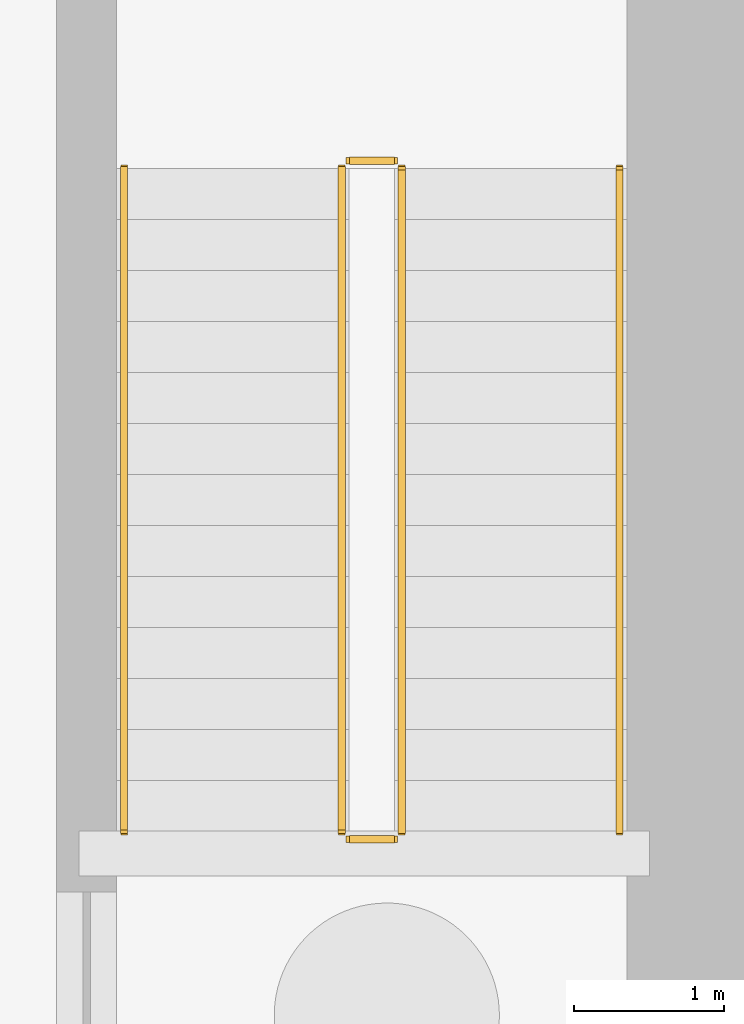
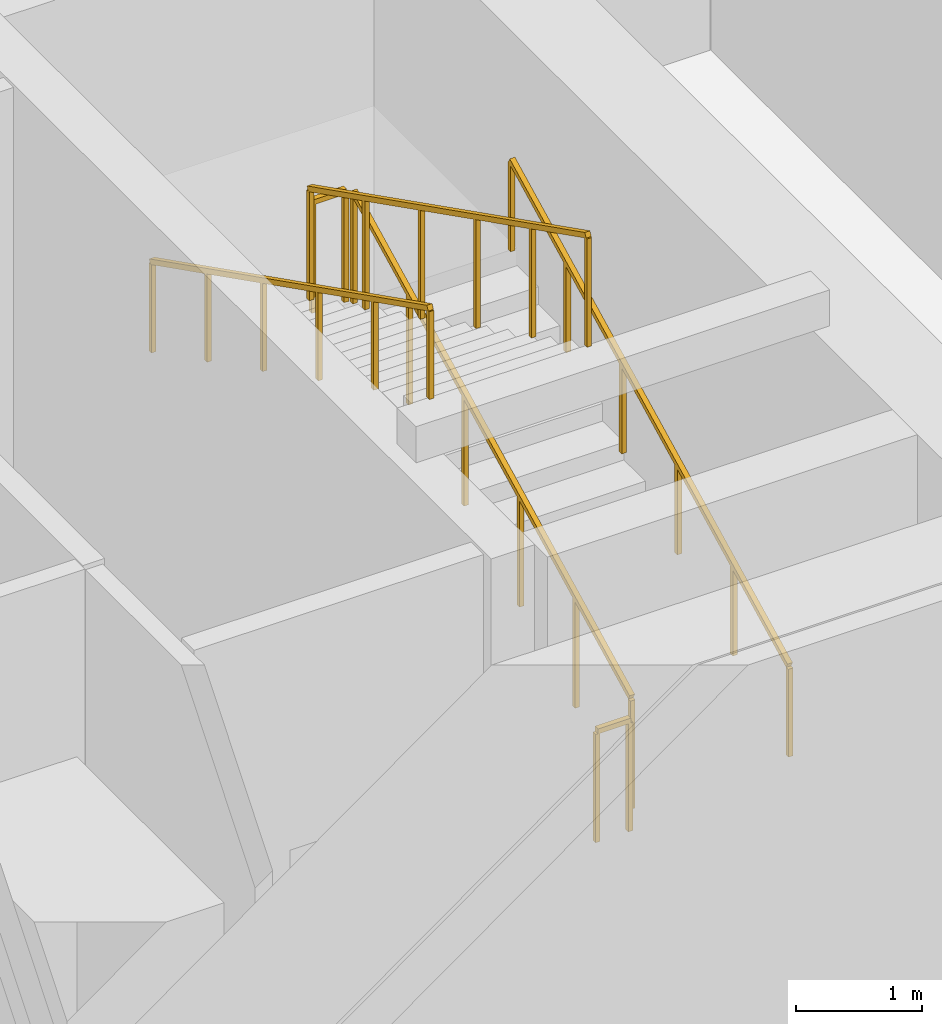
# One storey, part 9 of 10: 6 railings.
"""IFC4 building model written with IfcOpenShell, lengths in metres."""

from ifc_helpers import new_model, si_unit, direction, frame, origin, origin_2d, place, context, subcontext, project, spatial, rectangle, extrude, material, layer, layer_set, type_object, element, save


model = new_model("IFC4")

# Units and contexts
model_context = context("Model", 3, precision=1e-05, world=origin(), true_north=direction((0.0, 1.0)))
body_context = subcontext(model_context, "Body", "Model", "MODEL_VIEW")
ifc_project = project(units=[si_unit("LENGTHUNIT", "METRE"), si_unit("AREAUNIT", "SQUARE_METRE"), si_unit("VOLUMEUNIT", "CUBIC_METRE"), si_unit("PLANEANGLEUNIT", "RADIAN"), si_unit("MASSUNIT", "GRAM", prefix="KILO")], contexts=[model_context])

# Site, building, storey
site_placement = place(None, origin())
site = spatial("IfcSite", under=ifc_project, at=site_placement, CompositionType="ELEMENT")
building_placement = place(site_placement, origin())
building = spatial("IfcBuilding", under=site, at=building_placement, Name="Tavrogorsk Clinical Tower", CompositionType="ELEMENT")
storey_placement = place(building_placement, frame((0.0, 0.0, -10.199951171875)))
storey = spatial("IfcBuildingStorey", under=building, at=storey_placement, Name="B2", CompositionType="ELEMENT", Elevation=-10.199951171875)

# Railings
ifc_material_1 = material(Name="Galvanised steel S355 safety stairwell guard", Category="steel")
ifc_layer_1 = layer(ifc_material_1, 0.06005859375)
ifc_layer_set_1 = layer_set([ifc_layer_1], Name="Galvanised steel S355 safety stairwell guard")
railing_type_1 = type_object("IfcRailingType", Name="StairGuard_1150", PredefinedType="GUARDRAIL", material=ifc_layer_set_1)
railing_1_placement = place(storey_placement, frame((19.699951171875, -2.574951171875, 0.17138671875)))
element("IfcRailing", 1, at=railing_1_placement, inside=storey, type_object=railing_type_1, Name="B2 ST-E stair guard 1", PredefinedType="GUARDRAIL", context=body_context, shape_type="SweptSolid", body=[
    extrude(rectangle(XDim=0.048095703125, YDim=0.048095703125, at=origin_2d()), frame((0.0, 0.0, 1.076171875), z_axis=(0.0, 0.89292277971, 0.450209850486), x_axis=(-1.0, 0.0, 0.0)), (0.0, 0.0, 1.0), 4.949951171875),
    extrude(rectangle(XDim=0.0419921875, YDim=0.0419921875, at=origin_2d()), origin(), (0.0, 0.0, 1.0), 1.052001953125),
    extrude(rectangle(XDim=0.0419921875, YDim=0.0419921875, at=origin_2d()), frame((0.0, 0.884033203125, 0.44580078125)), (0.0, 0.0, 1.0), 1.052001953125),
    extrude(rectangle(XDim=0.0419921875, YDim=0.0419921875, at=origin_2d()), frame((0.0, 1.76806640625, 0.891357421875)), (0.0, 0.0, 1.0), 1.052001953125),
    extrude(rectangle(XDim=0.0419921875, YDim=0.0419921875, at=origin_2d()), frame((0.0, 2.65185546875, 1.337158203125)), (0.0, 0.0, 1.0), 1.052001953125),
    extrude(rectangle(XDim=0.0419921875, YDim=0.0419921875, at=origin_2d()), frame((0.0, 3.535888671875, 1.78271484375)), (0.0, 0.0, 1.0), 1.052001953125),
    extrude(rectangle(XDim=0.0419921875, YDim=0.0419921875, at=origin_2d()), frame((0.0, 4.419921875, 2.228515625)), (0.0, 0.0, 1.0), 1.052001953125),
])
railing_2_placement = place(storey_placement, frame((19.64990234375, 1.89501953125, 2.39990234375)))
element("IfcRailing", 2, at=railing_2_placement, inside=storey, type_object=railing_type_1, Name="B2 ST-E stair guard 2", PredefinedType="GUARDRAIL", context=body_context, shape_type="SweptSolid", body=[
    extrude(rectangle(XDim=0.048095703125, YDim=0.048095703125, at=origin_2d()), frame((0.0, 0.0, 1.076171875), z_axis=(-1.0, 0.0, 0.0), x_axis=(0.0, -1.0, 0.0)), (0.0, 0.0, 1.0), 0.2998046875),
    extrude(rectangle(XDim=0.0419921875, YDim=0.0419921875, at=origin_2d()), origin(), (0.0, 0.0, 1.0), 1.052001953125),
    extrude(rectangle(XDim=0.0419921875, YDim=0.0419921875, at=origin_2d()), frame((-0.2998046875, 0.0, 0.0)), (0.0, 0.0, 1.0), 1.052001953125),
])
railing_3_placement = place(storey_placement, frame((19.300048828125, 1.844970703125, 2.5712890625)))
element("IfcRailing", 3, at=railing_3_placement, inside=storey, type_object=railing_type_1, Name="B2 ST-E stair guard 3", PredefinedType="GUARDRAIL", context=body_context, shape_type="SweptSolid", body=[
    extrude(rectangle(XDim=0.048095703125, YDim=0.048095703125, at=origin_2d()), frame((0.0, 0.0, 1.076171875), z_axis=(0.0, -0.892902951771, 0.450249174034), x_axis=(1.0, 0.0, 0.0)), (0.0, 0.0, 1.0), 4.949951171875),
    extrude(rectangle(XDim=0.0419921875, YDim=0.0419921875, at=origin_2d()), origin(), (0.0, 0.0, 1.0), 1.052001953125),
    extrude(rectangle(XDim=0.0419921875, YDim=0.0419921875, at=origin_2d()), frame((0.0, -0.884033203125, 0.44580078125)), (0.0, 0.0, 1.0), 1.052001953125),
    extrude(rectangle(XDim=0.0419921875, YDim=0.0419921875, at=origin_2d()), frame((0.0, -1.76806640625, 0.8916015625)), (0.0, 0.0, 1.0), 1.052001953125),
    extrude(rectangle(XDim=0.0419921875, YDim=0.0419921875, at=origin_2d()), frame((0.0, -2.65185546875, 1.337158203125)), (0.0, 0.0, 1.0), 1.052001953125),
    extrude(rectangle(XDim=0.0419921875, YDim=0.0419921875, at=origin_2d()), frame((0.0, -3.535888671875, 1.782958984375)), (0.0, 0.0, 1.0), 1.052001953125),
    extrude(rectangle(XDim=0.0419921875, YDim=0.0419921875, at=origin_2d()), frame((0.0, -4.419921875, 2.228759765625)), (0.0, 0.0, 1.0), 1.052001953125),
])
railing_4_placement = place(storey_placement, frame((19.64990234375, -2.625, 0.0)))
element("IfcRailing", 4, at=railing_4_placement, inside=storey, type_object=railing_type_1, Name="B2 ST-E stair guard 4", PredefinedType="GUARDRAIL", context=body_context, shape_type="SweptSolid", body=[
    extrude(rectangle(XDim=0.048095703125, YDim=0.048095703125, at=origin_2d()), frame((0.0, 0.0, 1.076171875), z_axis=(-1.0, 0.0, 0.0), x_axis=(0.0, -1.0, 0.0)), (0.0, 0.0, 1.0), 0.2998046875),
    extrude(rectangle(XDim=0.0419921875, YDim=0.0419921875, at=origin_2d()), origin(), (0.0, 0.0, 1.0), 1.052001953125),
    extrude(rectangle(XDim=0.0419921875, YDim=0.0419921875, at=origin_2d()), frame((-0.2998046875, 0.0, 0.0)), (0.0, 0.0, 1.0), 1.052001953125),
])
ifc_material_2 = material(Name="Stainless steel AISI 304 tubular handrail", Category="steel")
ifc_layer_2 = layer(ifc_material_2, 0.050048828125)
ifc_layer_set_2 = layer_set([ifc_layer_2], Name="Stainless steel AISI 304 tubular handrail")
railing_type_2 = type_object("IfcRailingType", Name="StairHandrail_920", PredefinedType="HANDRAIL", material=ifc_layer_set_2)
railing_5_placement = place(storey_placement, frame((21.14990234375, -2.574951171875, 0.17138671875)))
element("IfcRailing", 5, at=railing_5_placement, inside=storey, type_object=railing_type_2, Name="B2 ST-E stair handrail 1", PredefinedType="HANDRAIL", context=body_context, shape_type="SweptSolid", body=[
    extrude(rectangle(XDim=0.048095703125, YDim=0.048095703125, at=origin_2d()), frame((0.0, 0.0, 0.8759765625), z_axis=(0.0, 0.89292277971, 0.450209850486), x_axis=(-1.0, 0.0, 0.0)), (0.0, 0.0, 1.0), 4.949951171875),
    extrude(rectangle(XDim=0.0419921875, YDim=0.0419921875, at=origin_2d()), origin(), (0.0, 0.0, 1.0), 0.851806640625),
    extrude(rectangle(XDim=0.0419921875, YDim=0.0419921875, at=origin_2d()), frame((0.0, 0.884033203125, 0.44580078125)), (0.0, 0.0, 1.0), 0.851806640625),
    extrude(rectangle(XDim=0.0419921875, YDim=0.0419921875, at=origin_2d()), frame((0.0, 1.76806640625, 0.891357421875)), (0.0, 0.0, 1.0), 0.851806640625),
    extrude(rectangle(XDim=0.0419921875, YDim=0.0419921875, at=origin_2d()), frame((0.0, 2.65185546875, 1.337158203125)), (0.0, 0.0, 1.0), 0.851806640625),
    extrude(rectangle(XDim=0.0419921875, YDim=0.0419921875, at=origin_2d()), frame((0.0, 3.535888671875, 1.78271484375)), (0.0, 0.0, 1.0), 0.851806640625),
    extrude(rectangle(XDim=0.0419921875, YDim=0.0419921875, at=origin_2d()), frame((0.0, 4.419921875, 2.228515625)), (0.0, 0.0, 1.0), 0.851806640625),
])
railing_6_placement = place(storey_placement, frame((17.85009765625, 1.844970703125, 2.5712890625)))
element("IfcRailing", 6, at=railing_6_placement, inside=storey, type_object=railing_type_2, Name="B2 ST-E stair handrail 2", PredefinedType="HANDRAIL", context=body_context, shape_type="SweptSolid", body=[
    extrude(rectangle(XDim=0.048095703125, YDim=0.048095703125, at=origin_2d()), frame((0.0, 0.0, 0.8759765625), z_axis=(0.0, -0.892902951771, 0.450249174034), x_axis=(1.0, 0.0, 0.0)), (0.0, 0.0, 1.0), 4.949951171875),
    extrude(rectangle(XDim=0.0419921875, YDim=0.0419921875, at=origin_2d()), origin(), (0.0, 0.0, 1.0), 0.851806640625),
    extrude(rectangle(XDim=0.0419921875, YDim=0.0419921875, at=origin_2d()), frame((0.0, -0.884033203125, 0.44580078125)), (0.0, 0.0, 1.0), 0.851806640625),
    extrude(rectangle(XDim=0.0419921875, YDim=0.0419921875, at=origin_2d()), frame((0.0, -1.76806640625, 0.8916015625)), (0.0, 0.0, 1.0), 0.851806640625),
    extrude(rectangle(XDim=0.0419921875, YDim=0.0419921875, at=origin_2d()), frame((0.0, -2.65185546875, 1.337158203125)), (0.0, 0.0, 1.0), 0.851806640625),
    extrude(rectangle(XDim=0.0419921875, YDim=0.0419921875, at=origin_2d()), frame((0.0, -3.535888671875, 1.782958984375)), (0.0, 0.0, 1.0), 0.851806640625),
    extrude(rectangle(XDim=0.0419921875, YDim=0.0419921875, at=origin_2d()), frame((0.0, -4.419921875, 2.228759765625)), (0.0, 0.0, 1.0), 0.851806640625),
])

save(model, "model.ifc")
